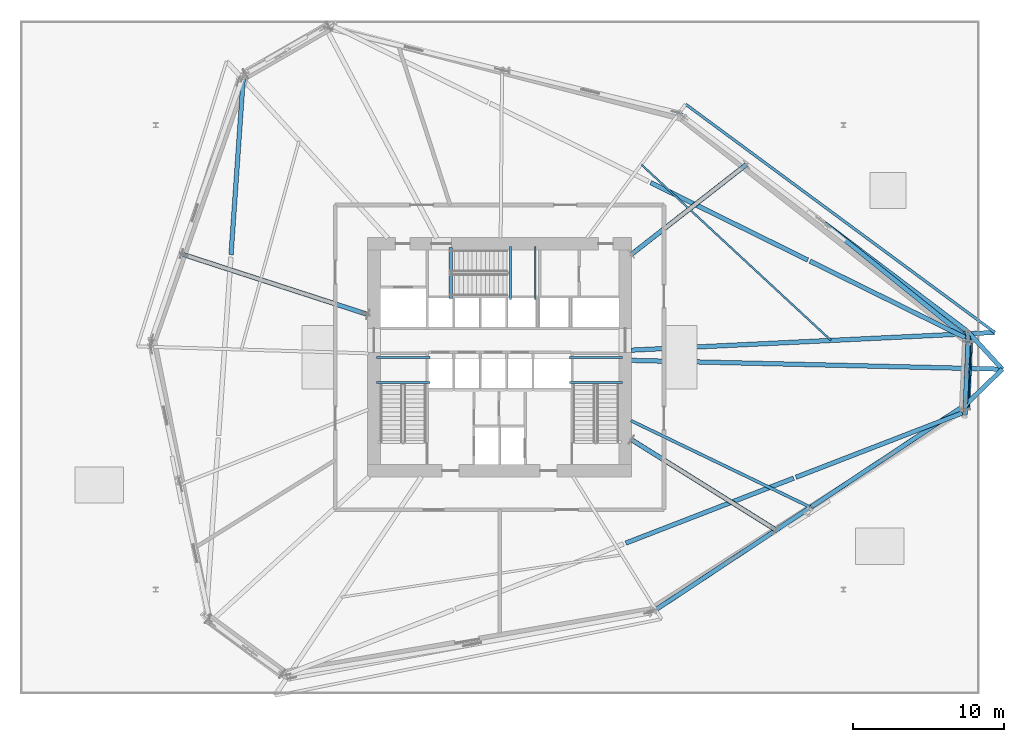
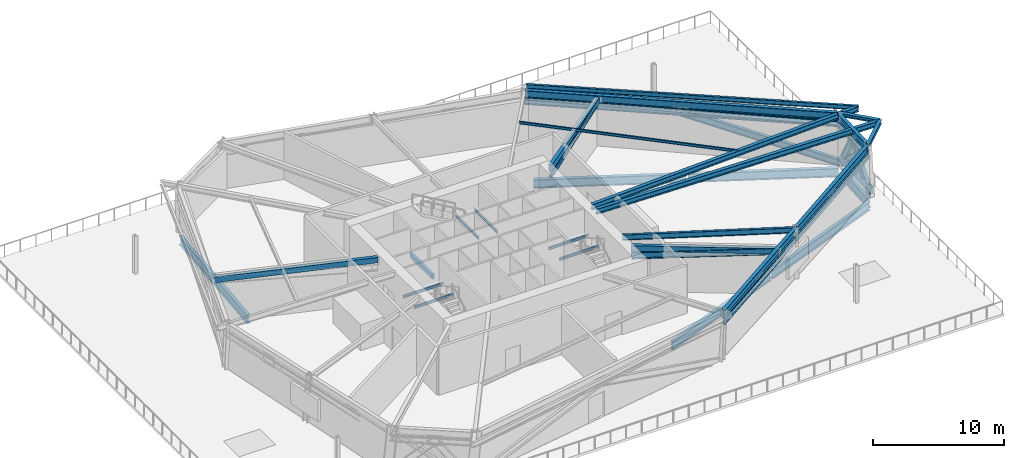
# One storey, part 6 of 20: 24 beams, 14 members.
"""IFC4 building model written with IfcOpenShell, lengths in metres."""

from ifc_helpers import new_model, si_unit, direction, frame, origin, origin_2d, place, context, subcontext, project, spatial, rectangle, hollow_rectangle, hollow_circle, i_section, extrude, source, transform, mapped, material, material_profile, profile_set, type_object, element, save


model = new_model("IFC4")

# Units and contexts
model_context = context("Model", 3, precision=1e-05, world=origin(), true_north=direction((0.0, 1.0)))
body_context = subcontext(model_context, "Body", "Model", "MODEL_VIEW")
ifc_project = project(units=[si_unit("LENGTHUNIT", "METRE"), si_unit("AREAUNIT", "SQUARE_METRE"), si_unit("VOLUMEUNIT", "CUBIC_METRE"), si_unit("PLANEANGLEUNIT", "RADIAN"), si_unit("MASSUNIT", "GRAM", prefix="KILO")], contexts=[model_context])

# Site, building, storey
site_placement = place(None, origin())
site = spatial("IfcSite", under=ifc_project, at=site_placement, CompositionType="ELEMENT")
building_placement = place(site_placement, origin())
building = spatial("IfcBuilding", under=site, at=building_placement, Name="Olszyna Solenne Hotel", CompositionType="ELEMENT")
storey_placement = place(building_placement, frame((0.0, 0.0, 24.60009765625)))
storey = spatial("IfcBuildingStorey", under=building, at=storey_placement, Name="L05", CompositionType="ELEMENT", Elevation=24.60009765625)

# Beams
ifc_material_1 = material(Name="Steel S355J2", Category="steel")
ifc_material_profile_1 = material_profile(ifc_material_1, i_section(OverallWidth=0.300048828125, OverallDepth=0.699951171875, WebThickness=0.01708984375, FlangeThickness=0.031982421875, at=origin_2d()), Name="HEB 700", Category="load-bearing")
ifc_profile_set_1 = profile_set([ifc_material_profile_1], Name="Steel S355J2")
beam_type_1 = type_object("IfcBeamType", Name="BM-S1", PredefinedType="BEAM", material=ifc_profile_set_1)
shared_shape_1 = source(origin(), body_context, "Body", "SweptSolid", [
    extrude(i_section(OverallWidth=0.300048828125, OverallDepth=0.699951171875, WebThickness=0.01708984375, FlangeThickness=0.031982421875, at=origin_2d()), origin(), (0.0, 0.0, 1.0), 4.702880859375),
])
beam_1_placement = place(storey_placement, frame((68.912841796875, 23.52978515625, 4.099853515625), z_axis=(0.028759846167, 0.999586350071, 0.0), x_axis=(-0.999586350071, 0.028759846167, 0.0)))
element("IfcBeam", 1, at=beam_1_placement, inside=storey, type_object=beam_type_1, Name="Perimeter spandrel beam BM-S1 B-L05-0155", PredefinedType="BEAM", context=body_context, shape_type="MappedRepresentation", body=[
    mapped(shared_shape_1, transform((0.0, 0.0, 0.0), x_axis=(1.0, 0.0, 0.0), y_axis=(0.0, 1.0, 0.0), z_axis=(0.0, 0.0, 1.0), scale=1.0)),
])
shared_shape_2 = source(origin(), body_context, "Body", "SweptSolid", [
    extrude(i_section(OverallWidth=0.300048828125, OverallDepth=0.699951171875, WebThickness=0.01708984375, FlangeThickness=0.031982421875, at=origin_2d()), origin(), (0.0, 0.0, 1.0), 23.945068359375),
])
beam_2_placement = place(storey_placement, frame((69.001953125, 28.326904296875, 4.099853515625), z_axis=(-0.797636121685, 0.603138970207, 0.0), x_axis=(-0.603138970207, -0.797636121685, 0.0)))
element("IfcBeam", 2, at=beam_2_placement, inside=storey, type_object=beam_type_1, Name="Perimeter spandrel beam BM-S1 B-L05-0156", PredefinedType="BEAM", context=body_context, shape_type="MappedRepresentation", body=[
    mapped(shared_shape_2, transform((0.0, 0.0, 0.0), x_axis=(1.0, 0.0, 0.0), y_axis=(0.0, 1.0, 0.0), z_axis=(0.0, 0.0, 1.0), scale=1.0)),
])
shared_shape_3 = source(origin(), body_context, "Body", "SweptSolid", [
    extrude(i_section(OverallWidth=0.300048828125, OverallDepth=0.699951171875, WebThickness=0.01708984375, FlangeThickness=0.031982421875, at=origin_2d()), origin(), (0.0, 0.0, 1.0), 12.226806640625),
])
for number, where, z_axis, x_axis, name in (
    (3, (48.36865234375, 9.87548828125, 4.099853515625), (0.833931665165, 0.551867717696, 0.0), (-0.551867717696, 0.833931665165, 0.0), "Perimeter spandrel beam BM-S1 B-L05-0165"),
    (4, (58.664794921875, 16.689208984375, 4.099853515625), (0.833931665165, 0.551867717696, 0.0), (-0.551867717696, 0.833931665165, 0.0), "Perimeter spandrel beam BM-S1 B-L05-0166"),
):
    element("IfcBeam", number, at=place(storey_placement, frame(where, z_axis=z_axis, x_axis=x_axis)), inside=storey, type_object=beam_type_1, Name=name, PredefinedType="BEAM", context=body_context, shape_type="MappedRepresentation", body=[
        mapped(shared_shape_3, transform((0.0, 0.0, 0.0), x_axis=(1.0, 0.0, 0.0), y_axis=(0.0, 1.0, 0.0), z_axis=(0.0, 0.0, 1.0), scale=1.0)),
    ])
ifc_material_profile_2 = material_profile(ifc_material_1, i_section(OverallWidth=0.300048828125, OverallDepth=0.489990234375, WebThickness=0.011962890625, FlangeThickness=0.02294921875, at=origin_2d()), Name="HEA 500", Category="load-bearing")
ifc_profile_set_2 = profile_set([ifc_material_profile_2], Name="Steel S355J2")
beam_type_2 = type_object("IfcBeamType", Name="BM-G1", PredefinedType="BEAM", material=ifc_profile_set_2)
shared_shape_4 = source(origin(), body_context, "Body", "SweptSolid", [
    extrude(i_section(OverallWidth=0.300048828125, OverallDepth=0.489990234375, WebThickness=0.011962890625, FlangeThickness=0.02294921875, at=origin_2d()), origin(), (0.0, 0.0, 1.0), 24.616455078125),
])
beam_3_placement = place(storey_placement, frame((71.3095703125, 25.813232421875, 4.204833984375), z_axis=(-0.999717858137, 0.023752981322, 0.0), x_axis=(-0.023752981322, -0.999717858137, 0.0)))
element("IfcBeam", 5, at=beam_3_placement, inside=storey, type_object=beam_type_2, Name="Radial floor girder BM-G1 B-L05-0167", PredefinedType="BEAM", context=body_context, shape_type="MappedRepresentation", body=[
    mapped(shared_shape_4, transform((0.0, 0.0, 0.0), x_axis=(1.0, 0.0, 0.0), y_axis=(0.0, 1.0, 0.0), z_axis=(0.0, 0.0, 1.0), scale=1.0)),
])
shared_shape_5 = source(origin(), body_context, "Body", "SweptSolid", [
    extrude(i_section(OverallWidth=0.300048828125, OverallDepth=0.489990234375, WebThickness=0.011962890625, FlangeThickness=0.02294921875, at=origin_2d()), origin(), (0.0, 0.0, 1.0), 24.138671875),
])
beam_4_placement = place(storey_placement, frame((70.810302734375, 28.246826171875, 4.204833984375), z_axis=(-0.998818405853, -0.048598272899, 0.0), x_axis=(0.048598272899, -0.998818405853, 0.0)))
element("IfcBeam", 6, at=beam_4_placement, inside=storey, type_object=beam_type_2, Name="Radial floor girder BM-G1 B-L05-0168", PredefinedType="BEAM", context=body_context, shape_type="MappedRepresentation", body=[
    mapped(shared_shape_5, transform((0.0, 0.0, 0.0), x_axis=(1.0, 0.0, 0.0), y_axis=(0.0, 1.0, 0.0), z_axis=(0.0, 0.0, 1.0), scale=1.0)),
])
ifc_material_profile_3 = material_profile(ifc_material_1, i_section(OverallWidth=0.199951171875, OverallDepth=0.5, WebThickness=0.01025390625, FlangeThickness=0.01611328125, at=origin_2d()), Name="IPE 500", Category="load-bearing")
ifc_profile_set_3 = profile_set([ifc_material_profile_3], Name="Steel S355J2")
beam_type_3 = type_object("IfcBeamType", Name="BM-F3", PredefinedType="BEAM", material=ifc_profile_set_3)
shared_shape_6 = source(origin(), body_context, "Body", "SweptSolid", [
    extrude(i_section(OverallWidth=0.199951171875, OverallDepth=0.5, WebThickness=0.01025390625, FlangeThickness=0.01611328125, at=origin_2d()), origin(), (0.0, 0.0, 1.0), 13.162841796875),
])
beam_5_placement = place(storey_placement, frame((58.560791015625, 16.682373046875, 4.199951171875), z_axis=(-0.900691314119, 0.434459614545, 0.0), x_axis=(-0.434459614545, -0.900691314119, 0.0)))
element("IfcBeam", 7, at=beam_5_placement, inside=storey, type_object=beam_type_3, Name="Radial floor girder BM-F3 B-L05-0178", PredefinedType="BEAM", context=body_context, shape_type="MappedRepresentation", body=[
    mapped(shared_shape_6, transform((0.0, 0.0, 0.0), x_axis=(1.0, 0.0, 0.0), y_axis=(0.0, 1.0, 0.0), z_axis=(0.0, 0.0, 1.0), scale=1.0)),
])
ifc_material_profile_4 = material_profile(ifc_material_1, i_section(OverallWidth=0.300048828125, OverallDepth=0.31005859375, WebThickness=0.009033203125, FlangeThickness=0.015380859375, at=origin_2d()), Name="HEA 320", Category="load-bearing")
ifc_profile_set_4 = profile_set([ifc_material_profile_4], Name="Steel S355J2")
beam_type_4 = type_object("IfcBeamType", Name="BM-G3", PredefinedType="BEAM", material=ifc_profile_set_4)
shared_shape_7 = source(origin(), body_context, "Body", "SweptSolid", [
    extrude(i_section(OverallWidth=0.300048828125, OverallDepth=0.31005859375, WebThickness=0.009033203125, FlangeThickness=0.015380859375, at=origin_2d()), origin(), (0.0, 0.0, 1.0), 3.3671875),
])
for number, where, z_axis, x_axis, name in (
    (8, (68.9111328125, 23.4697265625, 4.294921875), (0.71821984114, 0.695816254332, 0.0), (-0.695816254332, 0.71821984114, 0.0), "Prism side edge beam BM-G3 B-L05-0179"),
    (9, (69.0498046875, 28.290771484375, 4.294921875), (0.677056530821, -0.735931011762, 0.0), (0.735931011762, 0.677056530821, 0.0), "Prism side edge beam BM-G3 B-L05-0180"),
):
    element("IfcBeam", number, at=place(storey_placement, frame(where, z_axis=z_axis, x_axis=x_axis)), inside=storey, type_object=beam_type_4, Name=name, PredefinedType="BEAM", context=body_context, shape_type="MappedRepresentation", body=[
        mapped(shared_shape_7, transform((0.0, 0.0, 0.0), x_axis=(1.0, 0.0, 0.0), y_axis=(0.0, 1.0, 0.0), z_axis=(0.0, 0.0, 1.0), scale=1.0)),
    ])
ifc_material_profile_5 = material_profile(ifc_material_1, i_section(OverallWidth=0.1201171875, OverallDepth=0.239990234375, WebThickness=0.006103515625, FlangeThickness=0.009765625, at=origin_2d()), Name="IPE 240", Category="load-bearing")
ifc_profile_set_5 = profile_set([ifc_material_profile_5], Name="Steel S355J2")
beam_type_5 = type_object("IfcBeamType", Name="JS-03", PredefinedType="JOIST", material=ifc_profile_set_5)
shared_shape_8 = source(origin(), body_context, "Body", "SweptSolid", [
    extrude(i_section(OverallWidth=0.1201171875, OverallDepth=0.239990234375, WebThickness=0.006103515625, FlangeThickness=0.009765625, at=origin_2d()), origin(), (0.0, 0.0, 1.0), 17.123046875),
])
beam_6_placement = place(storey_placement, frame((59.95703125, 27.733154296875, 4.329833984375), z_axis=(-0.733321405693, 0.679882133867, 0.0), x_axis=(-0.679882133867, -0.733321405693, 0.0)))
element("IfcBeam", 10, at=beam_6_placement, inside=storey, type_object=beam_type_5, Name="Secondary composite floor joist JS-03 B-L05-0181", PredefinedType="JOIST", context=body_context, shape_type="MappedRepresentation", body=[
    mapped(shared_shape_8, transform((0.0, 0.0, 0.0), x_axis=(1.0, 0.0, 0.0), y_axis=(0.0, 1.0, 0.0), z_axis=(0.0, 0.0, 1.0), scale=1.0)),
])
ifc_material_profile_6 = material_profile(ifc_material_1, i_section(OverallWidth=0.179931640625, OverallDepth=0.39990234375, WebThickness=0.008544921875, FlangeThickness=0.013427734375, at=origin_2d()), Name="IPE 400", Category="load-bearing")
ifc_profile_set_6 = profile_set([ifc_material_profile_6], Name="Steel S355J2")
beam_type_6 = type_object("IfcBeamType", Name="BM-F5", PredefinedType="BEAM", material=ifc_profile_set_6)
shared_shape_9 = source(origin(), body_context, "Body", "SweptSolid", [
    extrude(i_section(OverallWidth=0.179931640625, OverallDepth=0.39990234375, WebThickness=0.008544921875, FlangeThickness=0.013427734375, at=origin_2d()), origin(), (0.0, 0.0, 1.0), 25.479736328125),
])
beam_7_placement = place(storey_placement, frame((70.830322265625, 28.247802734375, 4.25), z_axis=(-0.804541595355, 0.593896305211, 0.0), x_axis=(-0.593896305211, -0.804541595355, 0.0)))
element("IfcBeam", 11, at=beam_7_placement, inside=storey, type_object=beam_type_6, Name="Loggia outer edge beam BM-F5 B-L05-0184", PredefinedType="BEAM", context=body_context, shape_type="MappedRepresentation", body=[
    mapped(shared_shape_9, transform((0.0, 0.0, 0.0), x_axis=(1.0, 0.0, 0.0), y_axis=(0.0, 1.0, 0.0), z_axis=(0.0, 0.0, 1.0), scale=1.0)),
])

# Member
ifc_material_2 = material(Name="Steel S460M", Category="steel")
ifc_material_profile_7 = material_profile(ifc_material_2, i_section(OverallWidth=0.412109375, OverallDepth=0.43505859375, WebThickness=0.031494140625, FlangeThickness=0.050048828125, at=origin_2d()), Name="HD 400x463", Category="load-bearing")
ifc_profile_set_7 = profile_set([ifc_material_profile_7], Name="Steel S460M")
member_type_1 = type_object("IfcMemberType", Name="BR-T1", PredefinedType="BRACE", material=ifc_profile_set_7)
shared_shape_10 = source(origin(), body_context, "Body", "SweptSolid", [
    extrude(i_section(OverallWidth=0.412109375, OverallDepth=0.43505859375, WebThickness=0.031494140625, FlangeThickness=0.050048828125, at=origin_2d()), origin(), (0.0, 0.0, 1.0), 5.936767578125),
])
member_1_placement = place(storey_placement, frame((69.072509765625, 27.802978515625, 0.010009765625), z_axis=(-0.027182484311, -0.729896995518, 0.683016462818), x_axis=(0.999307254555, -0.037215735831, 0.0)))
element("IfcMember", 12, at=member_1_placement, inside=storey, type_object=member_type_1, Name="Perimeter braced-tube diagonal BR-T1 BR-L05-1", PredefinedType="BRACE", context=body_context, shape_type="MappedRepresentation", body=[
    mapped(shared_shape_10, transform((0.0, 0.0, 0.0), x_axis=(1.0, 0.0, 0.0), y_axis=(0.0, 1.0, 0.0), z_axis=(0.0, 0.0, 1.0), scale=1.0)),
])

# Beams
ifc_material_profile_8 = material_profile(ifc_material_2, i_section(OverallWidth=0.300048828125, OverallDepth=0.89990234375, WebThickness=0.0185546875, FlangeThickness=0.034912109375, at=origin_2d()), Name="HEB 900", Category="load-bearing")
ifc_profile_set_8 = profile_set([ifc_material_profile_8], Name="Steel S460M")
beam_type_7 = type_object("IfcBeamType", Name="TG-01", PredefinedType="BEAM", material=ifc_profile_set_8)
shared_shape_11 = source(origin(), body_context, "Body", "SweptSolid", [
    extrude(i_section(OverallWidth=0.300048828125, OverallDepth=0.89990234375, WebThickness=0.0185546875, FlangeThickness=0.034912109375, at=origin_2d()), origin(), (0.0, 0.0, 1.0), 4.423095703125),
])
beam_8_placement = place(storey_placement, frame((68.866943359375, 23.184326171875, -0.8701171875), z_axis=(0.044488754488, 0.999009885198, 0.0), x_axis=(-0.999009885198, 0.044488754488, 0.0)))
element("IfcBeam", 13, at=beam_8_placement, inside=storey, type_object=beam_type_7, Name="Transfer girder TG-01 TG-L05-01", PredefinedType="BEAM", context=body_context, shape_type="MappedRepresentation", body=[
    mapped(shared_shape_11, transform((0.0, 0.0, 0.0), x_axis=(1.0, 0.0, 0.0), y_axis=(0.0, 1.0, 0.0), z_axis=(0.0, 0.0, 1.0), scale=1.0)),
])
ifc_material_profile_9 = material_profile(ifc_material_1, i_section(OverallWidth=0.300048828125, OverallDepth=0.800048828125, WebThickness=0.017578125, FlangeThickness=0.032958984375, at=origin_2d()), Name="HEB 800", Category="load-bearing")
ifc_profile_set_9 = profile_set([ifc_material_profile_9], Name="Steel S355J2")
beam_type_8 = type_object("IfcBeamType", Name="TG-02", PredefinedType="BEAM", material=ifc_profile_set_9)
shared_shape_12 = source(origin(), body_context, "Body", "SweptSolid", [
    extrude(i_section(OverallWidth=0.300048828125, OverallDepth=0.800048828125, WebThickness=0.017578125, FlangeThickness=0.032958984375, at=origin_2d()), origin(), (0.0, 0.0, 1.0), 11.50048828125),
])
beam_9_placement = place(storey_placement, frame((68.893310546875, 27.891357421875, -0.820068359375), z_axis=(-0.89689717032, 0.442239150089, 0.0), x_axis=(-0.442239150089, -0.89689717032, 0.0)))
element("IfcBeam", 14, at=beam_9_placement, inside=storey, type_object=beam_type_8, Name="Transfer girder TG-02 TG-L05-02-1", PredefinedType="BEAM", context=body_context, shape_type="MappedRepresentation", body=[
    mapped(shared_shape_12, transform((0.0, 0.0, 0.0), x_axis=(1.0, 0.0, 0.0), y_axis=(0.0, 1.0, 0.0), z_axis=(0.0, 0.0, 1.0), scale=1.0)),
])
shared_shape_13 = source(origin(), body_context, "Body", "SweptSolid", [
    extrude(i_section(OverallWidth=0.300048828125, OverallDepth=0.800048828125, WebThickness=0.017578125, FlangeThickness=0.032958984375, at=origin_2d()), origin(), (0.0, 0.0, 1.0), 11.6201171875),
])
beam_10_placement = place(storey_placement, frame((58.434814453125, 33.048095703125, -0.820068359375), z_axis=(-0.896896785097, 0.442239931352, 0.0), x_axis=(-0.442239931352, -0.896896785097, 0.0)))
element("IfcBeam", 15, at=beam_10_placement, inside=storey, type_object=beam_type_8, Name="Transfer girder TG-02 TG-L05-02-2", PredefinedType="BEAM", context=body_context, shape_type="MappedRepresentation", body=[
    mapped(shared_shape_13, transform((0.0, 0.0, 0.0), x_axis=(1.0, 0.0, 0.0), y_axis=(0.0, 1.0, 0.0), z_axis=(0.0, 0.0, 1.0), scale=1.0)),
])
shared_shape_14 = source(origin(), body_context, "Body", "SweptSolid", [
    extrude(i_section(OverallWidth=0.300048828125, OverallDepth=0.800048828125, WebThickness=0.017578125, FlangeThickness=0.032958984375, at=origin_2d()), origin(), (0.0, 0.0, 1.0), 11.73779296875),
])
beam_11_placement = place(storey_placement, frame((21.00048828125, 45.10986328125, -0.820068359375), z_axis=(-0.068846348948, -0.997627275207, 0.0), x_axis=(0.997627275207, -0.068846348948, 0.0)))
element("IfcBeam", 16, at=beam_11_placement, inside=storey, type_object=beam_type_8, Name="Transfer girder TG-02 TG-L05-04-1", PredefinedType="BEAM", context=body_context, shape_type="MappedRepresentation", body=[
    mapped(shared_shape_14, transform((0.0, 0.0, 0.0), x_axis=(1.0, 0.0, 0.0), y_axis=(0.0, 1.0, 0.0), z_axis=(0.0, 0.0, 1.0), scale=1.0)),
])
shared_shape_15 = source(origin(), body_context, "Body", "SweptSolid", [
    extrude(i_section(OverallWidth=0.300048828125, OverallDepth=0.800048828125, WebThickness=0.017578125, FlangeThickness=0.032958984375, at=origin_2d()), origin(), (0.0, 0.0, 1.0), 11.821044921875),
])
beam_12_placement = place(storey_placement, frame((57.646728515625, 18.6474609375, -0.820068359375), z_axis=(0.932648145424, 0.360787245946, 0.0), x_axis=(-0.360787245946, 0.932648145424, 0.0)))
element("IfcBeam", 17, at=beam_12_placement, inside=storey, type_object=beam_type_8, Name="Transfer girder TG-02 TG-L05-06-4", PredefinedType="BEAM", context=body_context, shape_type="MappedRepresentation", body=[
    mapped(shared_shape_15, transform((0.0, 0.0, 0.0), x_axis=(1.0, 0.0, 0.0), y_axis=(0.0, 1.0, 0.0), z_axis=(0.0, 0.0, 1.0), scale=1.0)),
])
shared_shape_16 = source(origin(), body_context, "Body", "SweptSolid", [
    extrude(i_section(OverallWidth=0.300048828125, OverallDepth=0.800048828125, WebThickness=0.017578125, FlangeThickness=0.032958984375, at=origin_2d()), origin(), (0.0, 0.0, 1.0), 11.94091796875),
])
beam_13_placement = place(storey_placement, frame((46.36083984375, 14.28125, -0.820068359375), z_axis=(0.932642459435, 0.360801944091, 0.0), x_axis=(-0.360801944091, 0.932642459435, 0.0)))
element("IfcBeam", 18, at=beam_13_placement, inside=storey, type_object=beam_type_8, Name="Transfer girder TG-02 TG-L05-06-3", PredefinedType="BEAM", context=body_context, shape_type="MappedRepresentation", body=[
    mapped(shared_shape_16, transform((0.0, 0.0, 0.0), x_axis=(1.0, 0.0, 0.0), y_axis=(0.0, 1.0, 0.0), z_axis=(0.0, 0.0, 1.0), scale=1.0)),
])

# Members
ifc_material_profile_10 = material_profile(ifc_material_1, i_section(OverallWidth=0.305908203125, OverallDepth=0.52392578125, WebThickness=0.02099609375, FlangeThickness=0.0400390625, at=origin_2d()), Name="HEM 500", Category="load-bearing")
ifc_profile_set_10 = profile_set([ifc_material_profile_10], Name="Steel S355J2")
member_type_2 = type_object("IfcMemberType", Name="CH-TR1", PredefinedType="CHORD", material=ifc_profile_set_10)
shared_shape_17 = source(origin(), body_context, "Body", "SweptSolid", [
    extrude(i_section(OverallWidth=0.305908203125, OverallDepth=0.52392578125, WebThickness=0.02099609375, FlangeThickness=0.0400390625, at=origin_2d()), origin(), (0.0, 0.0, 1.0), 4.742919921875),
])
member_2_placement = place(storey_placement, frame((68.912353515625, 23.509765625, 3.39990234375), z_axis=(0.028722888732, 0.999587412717, 0.0), x_axis=(-0.999587412717, 0.028722888732, 0.0)))
element("IfcMember", 19, at=member_2_placement, inside=storey, type_object=member_type_2, Name="Transfer truss upper chord CH-TR1 CH-L05-01", PredefinedType="CHORD", context=body_context, shape_type="MappedRepresentation", body=[
    mapped(shared_shape_17, transform((0.0, 0.0, 0.0), x_axis=(1.0, 0.0, 0.0), y_axis=(0.0, 1.0, 0.0), z_axis=(0.0, 0.0, 1.0), scale=1.0)),
])
ifc_material_profile_11 = material_profile(ifc_material_2, i_section(OverallWidth=0.304931640625, OverallDepth=0.6201171875, WebThickness=0.02099609375, FlangeThickness=0.0400390625, at=origin_2d()), Name="HEM 600", Category="load-bearing")
ifc_profile_set_11 = profile_set([ifc_material_profile_11], Name="Steel S460M")
member_type_3 = type_object("IfcMemberType", Name="BR-OU1", PredefinedType="BRACE", material=ifc_profile_set_11)
shared_shape_18 = source(origin(), body_context, "Body", "SweptSolid", [
    extrude(i_section(OverallWidth=0.304931640625, OverallDepth=0.6201171875, WebThickness=0.02099609375, FlangeThickness=0.0400390625, at=origin_2d()), origin(), (0.0, 0.0, 1.0), 4.426513671875),
])
member_3_placement = place(storey_placement, frame((68.85986328125, 23.024658203125, 0.02001953125), z_axis=(0.02724669092, 0.645150898149, 0.763569208684), x_axis=(-0.999109375924, 0.042195437438, 0.0)))
element("IfcMember", 20, at=member_3_placement, inside=storey, type_object=member_type_3, Name="Transfer truss diagonal BR-OU1 BT-L05-01-1", PredefinedType="BRACE", context=body_context, shape_type="MappedRepresentation", body=[
    mapped(shared_shape_18, transform((0.0, 0.0, 0.0), x_axis=(1.0, 0.0, 0.0), y_axis=(0.0, 1.0, 0.0), z_axis=(0.0, 0.0, 1.0), scale=1.0)),
])
shared_shape_19 = source(origin(), body_context, "Body", "SweptSolid", [
    extrude(i_section(OverallWidth=0.304931640625, OverallDepth=0.6201171875, WebThickness=0.02099609375, FlangeThickness=0.0400390625, at=origin_2d()), origin(), (0.0, 0.0, 1.0), 3.869873046875),
])
member_4_placement = place(storey_placement, frame((69.07080078125, 27.762939453125, 0.02001953125), z_axis=(-0.023342442952, -0.486469128654, 0.873385892503), x_axis=(0.998850780743, -0.04792825689, 0.0)))
element("IfcMember", 21, at=member_4_placement, inside=storey, type_object=member_type_3, Name="Transfer truss diagonal BR-OU1 BT-L05-01-2", PredefinedType="BRACE", context=body_context, shape_type="MappedRepresentation", body=[
    mapped(shared_shape_19, transform((0.0, 0.0, 0.0), x_axis=(1.0, 0.0, 0.0), y_axis=(0.0, 1.0, 0.0), z_axis=(0.0, 0.0, 1.0), scale=1.0)),
])
shared_shape_20 = source(origin(), body_context, "Body", "SweptSolid", [
    extrude(i_section(OverallWidth=0.305908203125, OverallDepth=0.52392578125, WebThickness=0.02099609375, FlangeThickness=0.0400390625, at=origin_2d()), origin(), (0.0, 0.0, 1.0), 23.985107421875),
])
member_5_placement = place(storey_placement, frame((69.017822265625, 28.31494140625, 3.39990234375), z_axis=(-0.797636399359, 0.603138602991, 0.0), x_axis=(-0.603138602991, -0.797636399359, 0.0)))
element("IfcMember", 22, at=member_5_placement, inside=storey, type_object=member_type_2, Name="Transfer truss upper chord CH-TR1 CH-L05-02", PredefinedType="CHORD", context=body_context, shape_type="MappedRepresentation", body=[
    mapped(shared_shape_20, transform((0.0, 0.0, 0.0), x_axis=(1.0, 0.0, 0.0), y_axis=(0.0, 1.0, 0.0), z_axis=(0.0, 0.0, 1.0), scale=1.0)),
])
shared_shape_21 = source(origin(), body_context, "Body", "SweptSolid", [
    extrude(i_section(OverallWidth=0.304931640625, OverallDepth=0.6201171875, WebThickness=0.02099609375, FlangeThickness=0.0400390625, at=origin_2d()), origin(), (0.0, 0.0, 1.0), 12.766357421875),
])
member_6_placement = place(storey_placement, frame((69.041015625, 27.827392578125, 0.02001953125), z_axis=(-0.751105878931, 0.604770656771, 0.264749714531), x_axis=(-0.62714911721, -0.778899213495, 0.0)))
element("IfcMember", 23, at=member_6_placement, inside=storey, type_object=member_type_3, Name="Transfer truss diagonal BR-OU1 BT-L05-02-1", PredefinedType="BRACE", context=body_context, shape_type="MappedRepresentation", body=[
    mapped(shared_shape_21, transform((0.0, 0.0, 0.0), x_axis=(1.0, 0.0, 0.0), y_axis=(0.0, 1.0, 0.0), z_axis=(0.0, 0.0, 1.0), scale=1.0)),
])
shared_shape_22 = source(origin(), body_context, "Body", "SweptSolid", [
    extrude(i_section(OverallWidth=0.305908203125, OverallDepth=0.52392578125, WebThickness=0.02099609375, FlangeThickness=0.0400390625, at=origin_2d()), origin(), (0.0, 0.0, 1.0), 12.2666015625),
])
for number, where, z_axis, x_axis, name in (
    (24, (48.35205078125, 9.864501953125, 3.39990234375), (0.83393166692, 0.551867715044, 0.0), (-0.551867715044, 0.83393166692, 0.0), "Transfer truss upper chord CH-TR1 CH-L05-11"),
    (25, (58.648193359375, 16.67822265625, 3.39990234375), (0.83393166692, 0.551867715044, 0.0), (-0.551867715044, 0.83393166692, 0.0), "Transfer truss upper chord CH-TR1 CH-L05-12"),
):
    element("IfcMember", number, at=place(storey_placement, frame(where, z_axis=z_axis, x_axis=x_axis)), inside=storey, type_object=member_type_2, Name=name, PredefinedType="CHORD", context=body_context, shape_type="MappedRepresentation", body=[
        mapped(shared_shape_22, transform((0.0, 0.0, 0.0), x_axis=(1.0, 0.0, 0.0), y_axis=(0.0, 1.0, 0.0), z_axis=(0.0, 0.0, 1.0), scale=1.0)),
    ])
shared_shape_23 = source(origin(), body_context, "Body", "SweptSolid", [
    extrude(i_section(OverallWidth=0.304931640625, OverallDepth=0.6201171875, WebThickness=0.02099609375, FlangeThickness=0.0400390625, at=origin_2d()), origin(), (0.0, 0.0, 1.0), 11.300048828125),
])
member_7_placement = place(storey_placement, frame((46.75, 21.13232421875, 3.2998046875), z_axis=(0.846423421499, -0.528893109689, 0.061963457459), x_axis=(0.529911377466, 0.848053024305, 0.0)))
element("IfcMember", 26, at=member_7_placement, inside=storey, type_object=member_type_3, Name="Outrigger truss brace BR-OU1 OU-L05-01", PredefinedType="BRACE", context=body_context, shape_type="MappedRepresentation", body=[
    mapped(shared_shape_23, transform((0.0, 0.0, 0.0), x_axis=(1.0, 0.0, 0.0), y_axis=(0.0, 1.0, 0.0), z_axis=(0.0, 0.0, 1.0), scale=1.0)),
])
ifc_material_profile_12 = material_profile(ifc_material_2, hollow_rectangle(XDim=0.300048828125, YDim=0.5, WallThickness=0.02490234375, at=origin_2d()), Name="RHS 500x300x25", Category="load-bearing")
ifc_profile_set_12 = profile_set([ifc_material_profile_12], Name="Steel S460M")
member_type_4 = type_object("IfcMemberType", Name="CH-OU1", PredefinedType="CHORD", material=ifc_profile_set_12)
shared_shape_24 = source(origin(), body_context, "Body", "SweptSolid", [
    extrude(hollow_rectangle(XDim=0.300048828125, YDim=0.5, WallThickness=0.02490234375, at=origin_2d()), origin(), (0.0, 0.0, 1.0), 11.2783203125),
])
member_8_placement = place(storey_placement, frame((46.75, 21.13232421875, 4.0), z_axis=(0.848053024305, -0.529911377466, 0.0), x_axis=(0.529911377466, 0.848053024305, 0.0)))
element("IfcMember", 27, at=member_8_placement, inside=storey, type_object=member_type_4, Name="Outrigger collector chord CH-OU1 OC-L05-01", PredefinedType="CHORD", context=body_context, shape_type="MappedRepresentation", body=[
    mapped(shared_shape_24, transform((0.0, 0.0, 0.0), x_axis=(1.0, 0.0, 0.0), y_axis=(0.0, 1.0, 0.0), z_axis=(0.0, 0.0, 1.0), scale=1.0)),
])
shared_shape_25 = source(origin(), body_context, "Body", "SweptSolid", [
    extrude(i_section(OverallWidth=0.304931640625, OverallDepth=0.6201171875, WebThickness=0.02099609375, FlangeThickness=0.0400390625, at=origin_2d()), origin(), (0.0, 0.0, 1.0), 9.67626953125),
])
member_9_placement = place(storey_placement, frame((46.75, 33.436279296875, 3.2998046875), z_axis=(0.785945481954, 0.614046715708, 0.072362492528), x_axis=(-0.615660732846, 0.788011333695, 0.0)))
element("IfcMember", 28, at=member_9_placement, inside=storey, type_object=member_type_3, Name="Outrigger truss brace BR-OU1 OU-L05-02", PredefinedType="BRACE", context=body_context, shape_type="MappedRepresentation", body=[
    mapped(shared_shape_25, transform((0.0, 0.0, 0.0), x_axis=(1.0, 0.0, 0.0), y_axis=(0.0, 1.0, 0.0), z_axis=(0.0, 0.0, 1.0), scale=1.0)),
])
shared_shape_26 = source(origin(), body_context, "Body", "SweptSolid", [
    extrude(hollow_rectangle(XDim=0.300048828125, YDim=0.5, WallThickness=0.02490234375, at=origin_2d()), origin(), (0.0, 0.0, 1.0), 9.65087890625),
])
member_10_placement = place(storey_placement, frame((46.75, 33.436279296875, 4.0), z_axis=(0.788011333695, 0.615660732846, 0.0), x_axis=(-0.615660732846, 0.788011333695, 0.0)))
element("IfcMember", 29, at=member_10_placement, inside=storey, type_object=member_type_4, Name="Outrigger collector chord CH-OU1 OC-L05-02", PredefinedType="CHORD", context=body_context, shape_type="MappedRepresentation", body=[
    mapped(shared_shape_26, transform((0.0, 0.0, 0.0), x_axis=(1.0, 0.0, 0.0), y_axis=(0.0, 1.0, 0.0), z_axis=(0.0, 0.0, 1.0), scale=1.0)),
])
shared_shape_27 = source(origin(), body_context, "Body", "SweptSolid", [
    extrude(hollow_rectangle(XDim=0.300048828125, YDim=0.5, WallThickness=0.02490234375, at=origin_2d()), origin(), (0.0, 0.0, 1.0), 12.964111328125),
])
member_11_placement = place(storey_placement, frame((29.25, 29.443115234375, 4.0), z_axis=(-0.951057039309, 0.309015384698, 0.0), x_axis=(-0.309015384698, -0.951057039309, 0.0)))
element("IfcMember", 30, at=member_11_placement, inside=storey, type_object=member_type_4, Name="Outrigger collector chord CH-OU1 OC-L05-03", PredefinedType="CHORD", context=body_context, shape_type="MappedRepresentation", body=[
    mapped(shared_shape_27, transform((0.0, 0.0, 0.0), x_axis=(1.0, 0.0, 0.0), y_axis=(0.0, 1.0, 0.0), z_axis=(0.0, 0.0, 1.0), scale=1.0)),
])
ifc_material_profile_13 = material_profile(ifc_material_2, hollow_circle(Radius=0.304931640625, WallThickness=0.02490234375, at=origin_2d()), Name="CHS 610x25", Category="load-bearing")
ifc_profile_set_13 = profile_set([ifc_material_profile_13], Name="Steel S460M")
member_type_5 = type_object("IfcMemberType", Name="BR-TB1", PredefinedType="BRACE", material=ifc_profile_set_13)
shared_shape_28 = source(origin(), body_context, "Body", "SweptSolid", [
    extrude(hollow_circle(Radius=0.304931640625, WallThickness=0.02490234375, at=origin_2d()), origin(), (0.0, 0.0, 1.0), 4.463134765625),
])
member_12_placement = place(storey_placement, frame((68.8662109375, 23.164306640625, 0.5498046875), z_axis=(0.044472191656, 0.999010622651, 0.0), x_axis=(-0.999010622651, 0.044472191656, 0.0)))
element("IfcMember", 31, at=member_12_placement, inside=storey, type_object=member_type_5, Name="Belt collar tie BR-TB1 CTB-L05-1", PredefinedType="BRACE", context=body_context, shape_type="MappedRepresentation", body=[
    mapped(shared_shape_28, transform((0.0, 0.0, 0.0), x_axis=(1.0, 0.0, 0.0), y_axis=(0.0, 1.0, 0.0), z_axis=(0.0, 0.0, 1.0), scale=1.0)),
])

# Beams
shared_shape_29 = source(origin(), body_context, "Body", "SweptSolid", [
    extrude(i_section(OverallWidth=0.1201171875, OverallDepth=0.239990234375, WebThickness=0.006103515625, FlangeThickness=0.009765625, at=origin_2d()), origin(), (0.0, 0.0, 1.0), 3.539794921875),
])
for number, where, z_axis, x_axis, name in (
    (32, (33.3798828125, 24.93994140625, 2.02490234375), (-1.0, 0.0, 0.0), (0.0, -1.0, 0.0), "Stair landing support beam JS-03 SLB-ST1-0015"),
    (33, (33.3798828125, 26.580078125, 2.02490234375), (-1.0, 0.0, 0.0), (0.0, -1.0, 0.0), "Stair landing support beam JS-03 SLB-ST1-0016"),
    (34, (46.159912109375, 24.93994140625, 2.02490234375), (-1.0, 0.0, 0.0), (0.0, -1.0, 0.0), "Stair landing support beam JS-03 SLB-ST2-0255"),
    (35, (46.159912109375, 26.580078125, 2.02490234375), (-1.0, 0.0, 0.0), (0.0, -1.0, 0.0), "Stair landing support beam JS-03 SLB-ST2-0256"),
):
    element("IfcBeam", number, at=place(storey_placement, frame(where, z_axis=z_axis, x_axis=x_axis)), inside=storey, type_object=beam_type_5, Name=name, PredefinedType="JOIST", context=body_context, shape_type="MappedRepresentation", body=[
        mapped(shared_shape_29, transform((0.0, 0.0, 0.0), x_axis=(1.0, 0.0, 0.0), y_axis=(0.0, 1.0, 0.0), z_axis=(0.0, 0.0, 1.0), scale=1.0)),
    ])
shared_shape_30 = source(origin(), body_context, "Body", "SweptSolid", [
    extrude(i_section(OverallWidth=0.1201171875, OverallDepth=0.239990234375, WebThickness=0.006103515625, FlangeThickness=0.009765625, at=origin_2d()), origin(), (0.0, 0.0, 1.0), 3.5400390625),
])
for number, where, z_axis, x_axis, name in (
    (36, (38.719970703125, 30.419921875, 2.02490234375), (0.0, 1.0, 0.0), (-1.0, 0.0, 0.0), "Stair landing support beam JS-03 SLB-ST3-0495"),
    (37, (40.360107421875, 30.419921875, 2.02490234375), (0.0, 1.0, 0.0), (-1.0, 0.0, 0.0), "Stair landing support beam JS-03 SLB-ST3-0496"),
):
    element("IfcBeam", number, at=place(storey_placement, frame(where, z_axis=z_axis, x_axis=x_axis)), inside=storey, type_object=beam_type_5, Name=name, PredefinedType="JOIST", context=body_context, shape_type="MappedRepresentation", body=[
        mapped(shared_shape_30, transform((0.0, 0.0, 0.0), x_axis=(1.0, 0.0, 0.0), y_axis=(0.0, 1.0, 0.0), z_axis=(0.0, 0.0, 1.0), scale=1.0)),
    ])
ifc_material_3 = material(Name="Concrete C50/60", Category="concrete")
ifc_material_profile_14 = material_profile(ifc_material_3, rectangle(XDim=0.219970703125, YDim=0.43994140625, at=origin_2d()), Name="RC 220x440", Category="load-bearing")
ifc_profile_set_14 = profile_set([ifc_material_profile_14], Name="Concrete C50/60")
beam_type_9 = type_object("IfcBeamType", Name="BM-ST1", PredefinedType="BEAM", material=ifc_profile_set_14)
shared_shape_31 = source(origin(), body_context, "Body", "SweptSolid", [
    extrude(rectangle(XDim=0.219970703125, YDim=0.43994140625, at=origin_2d()), origin(), (0.0, 0.0, 1.0), 3.3798828125),
])
beam_14_placement = place(storey_placement, frame((34.760009765625, 30.5, -0.205078125), z_axis=(0.0, 1.0, 0.0), x_axis=(-1.0, 0.0, 0.0)))
element("IfcBeam", 38, at=beam_14_placement, inside=storey, type_object=beam_type_9, Name="Concrete stair trimmer beam BM-ST1 SHB-ST3-0645", PredefinedType="BEAM", context=body_context, shape_type="MappedRepresentation", body=[
    mapped(shared_shape_31, transform((0.0, 0.0, 0.0), x_axis=(1.0, 0.0, 0.0), y_axis=(0.0, 1.0, 0.0), z_axis=(0.0, 0.0, 1.0), scale=1.0)),
])

save(model, "model.ifc")
